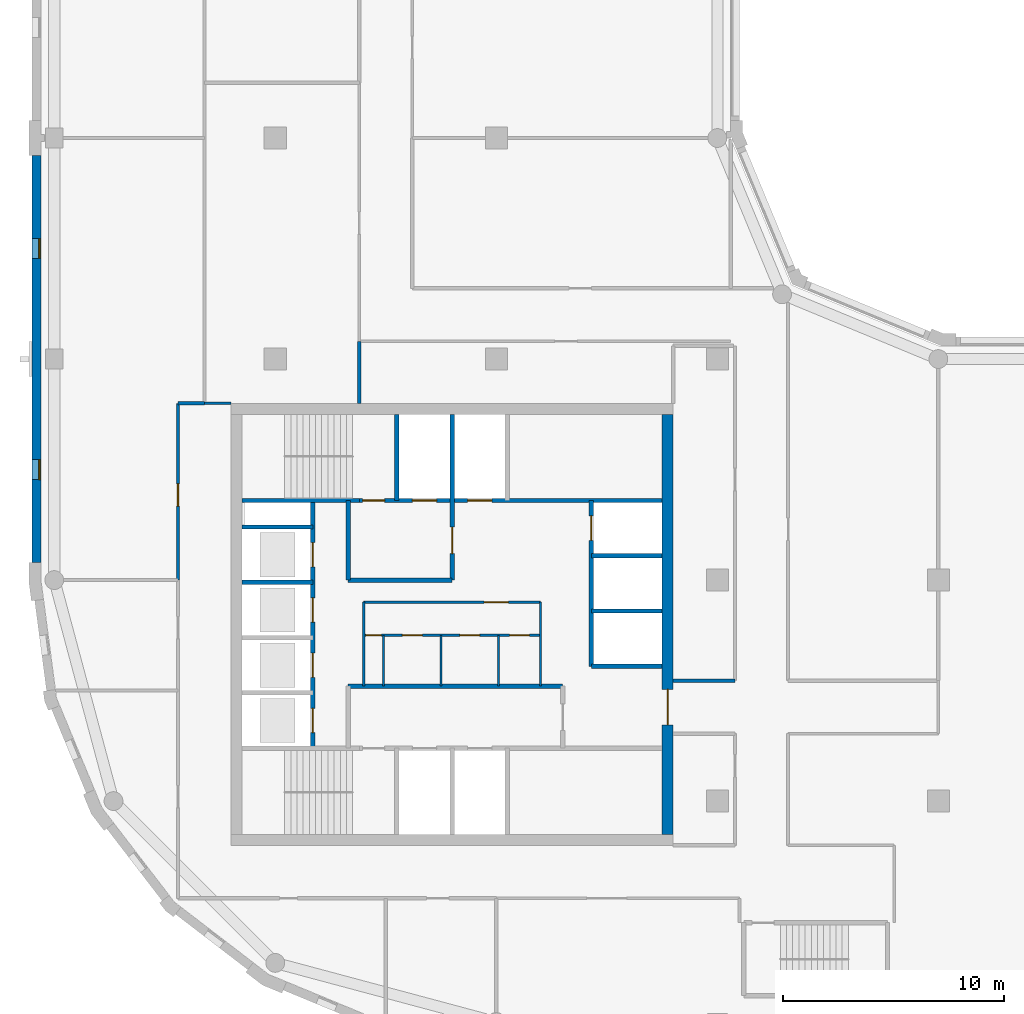
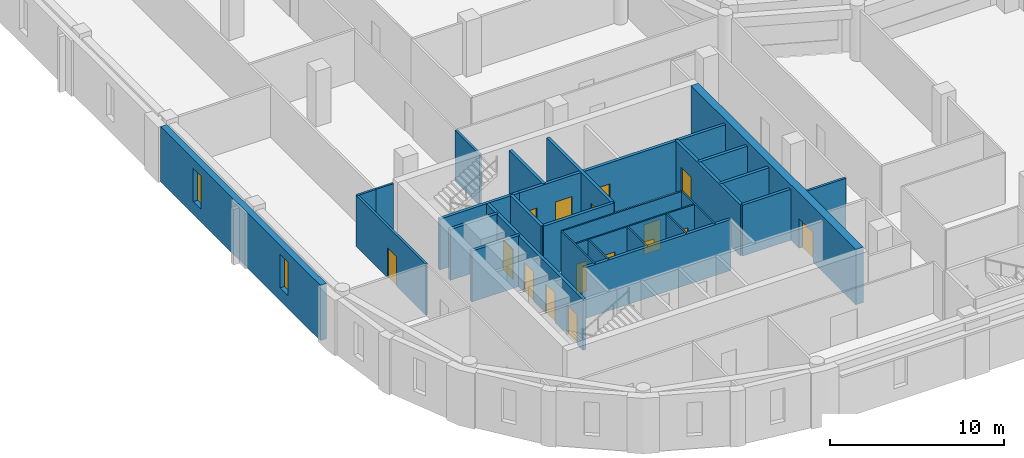
# One storey, part 3 of 9: 28 walls, 16 doors, 2 windows, 18 openings.
"""IFC4 building model written with IfcOpenShell, lengths in metres."""

from ifc_helpers import new_model, si_unit, direction, frame, frame_2d, origin, place, context, subcontext, project, spatial, rectangle, extrude, material, layer, layer_set, type_object, element, fill, save


model = new_model("IFC4")

# Units and contexts
model_context = context("Model", 3, precision=1e-05, world=origin(), true_north=direction((0.0, 1.0)))
body_context = subcontext(model_context, "Body", "Model", "MODEL_VIEW")
ifc_project = project(units=[si_unit("LENGTHUNIT", "METRE"), si_unit("AREAUNIT", "SQUARE_METRE"), si_unit("VOLUMEUNIT", "CUBIC_METRE"), si_unit("PLANEANGLEUNIT", "RADIAN"), si_unit("MASSUNIT", "GRAM", prefix="KILO")], contexts=[model_context])

# Site, building, storey
site_placement = place(None, origin())
site = spatial("IfcSite", under=ifc_project, at=site_placement, CompositionType="ELEMENT")
building_placement = place(site_placement, origin())
building = spatial("IfcBuilding", under=site, at=building_placement, Name="Qaws Garden Tower", CompositionType="ELEMENT")
storey_placement = place(building_placement, frame((0.0, 0.0, 263.10009765625)))
storey = spatial("IfcBuildingStorey", under=building, at=storey_placement, Name="L63", CompositionType="ELEMENT", Elevation=263.10009765625)

# Wall, openings, windows
ifc_material_1 = material(Name="Clay facing brick masonry", Category="masonry")
ifc_layer_1 = layer(ifc_material_1, 0.39990234375)
ifc_layer_set_1 = layer_set([ifc_layer_1], Name="Clay facing brick masonry")
wall_type_1 = type_object("IfcWallType", Name="Brick infill wall 400", PredefinedType="SOLIDWALL", material=ifc_layer_set_1)
wall_1_placement = place(storey_placement, frame((-0.800048828125, 39.199951171875, 0.0), z_axis=(0.0, 0.0, 1.0), x_axis=(0.0, -1.0, 0.0)))
wall_1 = element("IfcWall", 1, at=wall_1_placement, inside=storey, type_object=wall_type_1, Name="E-L63-infill-21", PredefinedType="SOLIDWALL", context=body_context, shape_type="SweptSolid", body=[
    extrude(rectangle(XDim=18.39990234375, YDim=0.39990234375, at=frame_2d((9.199951171875, 0.0))), origin(), (0.0, 0.0, 1.0), 3.89990234375),
])
opening_1_placement = place(wall_1_placement, frame((3.75, 0.0, 0.89990234375)))
opening_1 = element("IfcOpeningElement", 2, at=opening_1_placement, cuts=wall_1, Name="Opening W09", PredefinedType="OPENING", context=body_context, shape_type="SweptSolid", body=[
    extrude(rectangle(XDim=0.89990234375, YDim=2.35009765625, at=frame_2d((0.449951171875, 1.175048828125))), frame((0.0, 0.2099609375, 0.0), z_axis=(0.0, -1.0, 0.0), x_axis=(1.0, 0.0, 0.0)), (0.0, 0.0, 1.0), 0.419921875),
])
opening_2_placement = place(wall_1_placement, frame((13.75, 0.0, 0.89990234375)))
opening_2 = element("IfcOpeningElement", 3, at=opening_2_placement, cuts=wall_1, Name="Opening W09", PredefinedType="OPENING", context=body_context, shape_type="SweptSolid", body=[
    extrude(rectangle(XDim=0.89990234375, YDim=2.35009765625, at=frame_2d((0.449951171875, 1.175048828125))), frame((0.0, 0.2099609375, 0.0), z_axis=(0.0, -1.0, 0.0), x_axis=(1.0, 0.0, 0.0)), (0.0, 0.0, 1.0), 0.419921875),
])
ifc_material_2 = material(Name="Aluminium framed window, clear glazing", Category="aluminium")
window_type = type_object("IfcWindowType", Name="Slit window 900 x 2350", PartitioningType="SINGLE_PANEL", PredefinedType="WINDOW", material=ifc_material_2)
window_1_placement = place(opening_1_placement, origin())
window_1 = element("IfcWindow", 4, at=window_1_placement, inside=storey, type_object=window_type, Name="E-L63-window-21-0", OverallHeight=2.35009765625, OverallWidth=0.89990234375, PartitioningType="SINGLE_PANEL", PredefinedType="WINDOW", context=body_context, shape_type="SweptSolid", body=[
    extrude(rectangle(XDim=0.89990234375, YDim=2.35009765625, at=frame_2d((0.449951171875, 1.175048828125))), frame((0.0, 0.159912109375, 0.0), z_axis=(0.0, -1.0, 0.0), x_axis=(1.0, 0.0, 0.0)), (0.0, 0.0, 1.0), 0.06005859375),
])
fill(opening_1, window_1)
window_2_placement = place(opening_2_placement, origin())
window_2 = element("IfcWindow", 5, at=window_2_placement, inside=storey, type_object=window_type, Name="E-L63-window-22-0", OverallHeight=2.35009765625, OverallWidth=0.89990234375, PartitioningType="SINGLE_PANEL", PredefinedType="WINDOW", context=body_context, shape_type="SweptSolid", body=[
    extrude(rectangle(XDim=0.89990234375, YDim=2.35009765625, at=frame_2d((0.449951171875, 1.175048828125))), frame((0.0, 0.159912109375, 0.0), z_axis=(0.0, -1.0, 0.0), x_axis=(1.0, 0.0, 0.0)), (0.0, 0.0, 1.0), 0.06005859375),
])
fill(opening_2, window_2)

# Wall, openings, doors
ifc_material_3 = material(Name="Plasterboard")
ifc_layer_2 = layer(ifc_material_3, 0.10009765625)
ifc_layer_set_2 = layer_set([ifc_layer_2], Name="Plasterboard")
wall_type_2 = type_object("IfcWallType", Name="Core partition 100", PredefinedType="PARTITIONING", material=ifc_layer_set_2)
wall_2_placement = place(storey_placement, frame((14.0, 17.5, 0.0), z_axis=(0.0, 0.0, 1.0), x_axis=(1.0, 0.0, 0.0)))
wall_2 = element("IfcWall", 6, at=wall_2_placement, inside=storey, type_object=wall_type_2, Name="Core partition", PredefinedType="PARTITIONING", context=body_context, shape_type="SweptSolid", body=[
    extrude(rectangle(XDim=8.0, YDim=0.10009765625, at=frame_2d((4.0, 0.0))), origin(), (0.0, 0.0, 1.0), 3.579833984375),
])
opening_3_placement = place(wall_2_placement, frame((0.10009765625, 0.0, 0.0)))
opening_3 = element("IfcOpeningElement", 7, at=opening_3_placement, cuts=wall_2, Name="Opening XD18", PredefinedType="OPENING", context=body_context, shape_type="SweptSolid", body=[
    extrude(rectangle(XDim=0.699951171875, YDim=2.10009765625, at=frame_2d((0.35009765625, 1.050048828125))), frame((0.0, 0.06005859375, 0.0), z_axis=(0.0, -1.0, 0.0), x_axis=(1.0, 0.0, 0.0)), (0.0, 0.0, 1.0), 0.1201171875),
])
opening_4_placement = place(wall_2_placement, frame((1.75, 0.0, 0.0)))
opening_4 = element("IfcOpeningElement", 8, at=opening_4_placement, cuts=wall_2, Name="Opening WD19", PredefinedType="OPENING", context=body_context, shape_type="SweptSolid", body=[
    extrude(rectangle(XDim=0.89990234375, YDim=2.10009765625, at=frame_2d((0.449951171875, 1.050048828125))), frame((0.0, 0.06005859375, 0.0), z_axis=(0.0, -1.0, 0.0), x_axis=(1.0, 0.0, 0.0)), (0.0, 0.0, 1.0), 0.1201171875),
])
opening_5_placement = place(wall_2_placement, frame((4.35009765625, 0.0, 0.0)))
opening_5 = element("IfcOpeningElement", 9, at=opening_5_placement, cuts=wall_2, Name="Opening WD20", PredefinedType="OPENING", context=body_context, shape_type="SweptSolid", body=[
    extrude(rectangle(XDim=0.89990234375, YDim=2.10009765625, at=frame_2d((0.449951171875, 1.050048828125))), frame((0.0, 0.06005859375, 0.0), z_axis=(0.0, -1.0, 0.0), x_axis=(1.0, 0.0, 0.0)), (0.0, 0.0, 1.0), 0.1201171875),
])
opening_6_placement = place(wall_2_placement, frame((6.60009765625, 0.0, 0.0)))
opening_6 = element("IfcOpeningElement", 10, at=opening_6_placement, cuts=wall_2, Name="Opening WD21", PredefinedType="OPENING", context=body_context, shape_type="SweptSolid", body=[
    extrude(rectangle(XDim=0.89990234375, YDim=2.10009765625, at=frame_2d((0.449951171875, 1.050048828125))), frame((0.0, 0.06005859375, 0.0), z_axis=(0.0, -1.0, 0.0), x_axis=(1.0, 0.0, 0.0)), (0.0, 0.0, 1.0), 0.1201171875),
])
ifc_material_4 = material(Name="Timber", Category="wood")
door_type_1 = type_object("IfcDoorType", Name="Store door 700x2100", OperationType="SINGLE_SWING_LEFT", PredefinedType="DOOR", material=ifc_material_4)
door_1_placement = place(opening_3_placement, frame((0.699951171875, 0.0, 0.0), z_axis=(0.0, 0.0, 1.0), x_axis=(-1.0, 0.0, 0.0)))
door_1 = element("IfcDoor", 11, at=door_1_placement, inside=storey, type_object=door_type_1, Name="Cleaner's store door", OperationType="SINGLE_SWING_LEFT", OverallHeight=2.10009765625, OverallWidth=0.699951171875, PredefinedType="DOOR", context=body_context, shape_type="SweptSolid", body=[
    extrude(rectangle(XDim=0.699951171875, YDim=2.10009765625, at=frame_2d((0.35009765625, 1.050048828125))), frame((0.0, 0.02490234375, 0.0), z_axis=(0.0, -1.0, 0.0), x_axis=(1.0, 0.0, 0.0)), (0.0, 0.0, 1.0), 0.050048828125),
])
fill(opening_3, door_1)
ifc_material_5 = material(Name="Timber", Category="wood")
door_type_2 = type_object("IfcDoorType", Name="WC door 900x2100", OperationType="SINGLE_SWING_LEFT", PredefinedType="DOOR", material=ifc_material_5)
door_2_placement = place(opening_4_placement, frame((0.89990234375, 0.0, 0.0), z_axis=(0.0, 0.0, 1.0), x_axis=(-1.0, 0.0, 0.0)))
door_2 = element("IfcDoor", 12, at=door_2_placement, inside=storey, type_object=door_type_2, Name="Men's WC door", OperationType="SINGLE_SWING_LEFT", OverallHeight=2.10009765625, OverallWidth=0.89990234375, PredefinedType="DOOR", context=body_context, shape_type="SweptSolid", body=[
    extrude(rectangle(XDim=0.89990234375, YDim=2.10009765625, at=frame_2d((0.449951171875, 1.050048828125))), frame((0.0, 0.02490234375, 0.0), z_axis=(0.0, -1.0, 0.0), x_axis=(1.0, 0.0, 0.0)), (0.0, 0.0, 1.0), 0.050048828125),
])
fill(opening_4, door_2)
door_3_placement = place(opening_5_placement, frame((0.89990234375, 0.0, 0.0), z_axis=(0.0, 0.0, 1.0), x_axis=(-1.0, 0.0, 0.0)))
door_3 = element("IfcDoor", 13, at=door_3_placement, inside=storey, type_object=door_type_2, Name="Women's WC door", OperationType="SINGLE_SWING_LEFT", OverallHeight=2.10009765625, OverallWidth=0.89990234375, PredefinedType="DOOR", context=body_context, shape_type="SweptSolid", body=[
    extrude(rectangle(XDim=0.89990234375, YDim=2.10009765625, at=frame_2d((0.449951171875, 1.050048828125))), frame((0.0, 0.02490234375, 0.0), z_axis=(0.0, -1.0, 0.0), x_axis=(1.0, 0.0, 0.0)), (0.0, 0.0, 1.0), 0.050048828125),
])
fill(opening_5, door_3)
door_4_placement = place(opening_6_placement, frame((0.89990234375, 0.0, 0.0), z_axis=(0.0, 0.0, 1.0), x_axis=(-1.0, 0.0, 0.0)))
door_4 = element("IfcDoor", 14, at=door_4_placement, inside=storey, type_object=door_type_2, Name="Accessible WC door", OperationType="SINGLE_SWING_LEFT", OverallHeight=2.10009765625, OverallWidth=0.89990234375, PredefinedType="DOOR", context=body_context, shape_type="SweptSolid", body=[
    extrude(rectangle(XDim=0.89990234375, YDim=2.10009765625, at=frame_2d((0.449951171875, 1.050048828125))), frame((0.0, 0.02490234375, 0.0), z_axis=(0.0, -1.0, 0.0), x_axis=(1.0, 0.0, 0.0)), (0.0, 0.0, 1.0), 0.050048828125),
])
fill(opening_6, door_4)

# Wall, opening, door
wall_3_placement = place(storey_placement, frame((14.0, 19.0, 0.0), z_axis=(0.0, 0.0, 1.0), x_axis=(1.0, 0.0, 0.0)))
wall_3 = element("IfcWall", 15, at=wall_3_placement, inside=storey, type_object=wall_type_2, Name="Core partition", PredefinedType="PARTITIONING", context=body_context, shape_type="SweptSolid", body=[
    extrude(rectangle(XDim=8.0, YDim=0.10009765625, at=frame_2d((4.0, 0.0))), origin(), (0.0, 0.0, 1.0), 3.579833984375),
])
opening_7_placement = place(wall_3_placement, frame((5.449951171875, 0.0, 0.0)))
opening_7 = element("IfcOpeningElement", 16, at=opening_7_placement, cuts=wall_3, Name="Opening WL17", PredefinedType="OPENING", context=body_context, shape_type="SweptSolid", body=[
    extrude(rectangle(XDim=1.10009765625, YDim=2.10009765625, at=frame_2d((0.550048828125, 1.050048828125))), frame((0.0, 0.06005859375, 0.0), z_axis=(0.0, -1.0, 0.0), x_axis=(1.0, 0.0, 0.0)), (0.0, 0.0, 1.0), 0.1201171875),
])
ifc_material_6 = material(Name="Timber", Category="wood")
door_type_3 = type_object("IfcDoorType", Name="WC lobby door 1100x2100", OperationType="SINGLE_SWING_LEFT", PredefinedType="DOOR", material=ifc_material_6)
door_5_placement = place(opening_7_placement, frame((1.10009765625, 0.0, 0.0), z_axis=(0.0, 0.0, 1.0), x_axis=(-1.0, 0.0, 0.0)))
door_5 = element("IfcDoor", 17, at=door_5_placement, inside=storey, type_object=door_type_3, Name="WC lobby door", OperationType="SINGLE_SWING_LEFT", OverallHeight=2.10009765625, OverallWidth=1.10009765625, PredefinedType="DOOR", context=body_context, shape_type="SweptSolid", body=[
    extrude(rectangle(XDim=1.10009765625, YDim=2.10009765625, at=frame_2d((0.550048828125, 1.050048828125))), frame((0.0, 0.02490234375, 0.0), z_axis=(0.0, -1.0, 0.0), x_axis=(1.0, 0.0, 0.0)), (0.0, 0.0, 1.0), 0.050048828125),
])
fill(opening_7, door_5)

# Walls
wall_4_placement = place(storey_placement, frame((14.0, 15.199951171875, 0.0), z_axis=(0.0, 0.0, 1.0), x_axis=(0.0, 1.0, 0.0)))
element("IfcWall", 18, at=wall_4_placement, inside=storey, type_object=wall_type_2, Name="Core partition", PredefinedType="PARTITIONING", context=body_context, shape_type="SweptSolid", body=[
    extrude(rectangle(XDim=3.800048828125, YDim=0.10009765625, at=frame_2d((1.89990234375, 0.0))), origin(), (0.0, 0.0, 1.0), 3.579833984375),
])
for number, where, z_axis, x_axis, name in (
    (19, (14.89990234375, 15.199951171875, 0.0), (0.0, 0.0, 1.0), (0.0, 1.0, 0.0), "Core partition"),
    (20, (17.5, 15.199951171875, 0.0), (0.0, 0.0, 1.0), (0.0, 1.0, 0.0), "Core partition"),
    (21, (20.10009765625, 15.199951171875, 0.0), (0.0, 0.0, 1.0), (0.0, 1.0, 0.0), "Core partition"),
):
    element("IfcWall", number, at=place(storey_placement, frame(where, z_axis=z_axis, x_axis=x_axis)), inside=storey, type_object=wall_type_2, Name=name, PredefinedType="PARTITIONING", context=body_context, shape_type="SweptSolid", body=[
        extrude(rectangle(XDim=2.300048828125, YDim=0.10009765625, at=frame_2d((1.14990234375, 0.0))), origin(), (0.0, 0.0, 1.0), 3.579833984375),
    ])
wall_5_placement = place(storey_placement, frame((22.0, 15.199951171875, 0.0), z_axis=(0.0, 0.0, 1.0), x_axis=(0.0, 1.0, 0.0)))
element("IfcWall", 22, at=wall_5_placement, inside=storey, type_object=wall_type_2, Name="Core partition", PredefinedType="PARTITIONING", context=body_context, shape_type="SweptSolid", body=[
    extrude(rectangle(XDim=3.800048828125, YDim=0.10009765625, at=frame_2d((1.89990234375, 0.0))), origin(), (0.0, 0.0, 1.0), 3.579833984375),
])
ifc_material_7 = material(Name="Concrete C60", Category="concrete")
ifc_layer_3 = layer(ifc_material_7, 0.199951171875)
ifc_layer_set_3 = layer_set([ifc_layer_3], Name="Concrete C60")
wall_type_3 = type_object("IfcWallType", Name="Core shaft wall 200 C60", PredefinedType="SHEAR", material=ifc_layer_set_3)
wall_6_placement = place(storey_placement, frame((13.300048828125, 15.199951171875, 0.0), z_axis=(0.0, 0.0, 1.0), x_axis=(1.0, 0.0, 0.0)))
element("IfcWall", 23, at=wall_6_placement, inside=storey, type_object=wall_type_3, Name="Shaft wall", PredefinedType="SHEAR", context=body_context, shape_type="SweptSolid", body=[
    extrude(rectangle(XDim=9.699951171875, YDim=0.199951171875, at=frame_2d((4.85009765625, 0.0))), origin(), (0.0, 0.0, 1.0), 3.579833984375),
])
for number, where, z_axis, x_axis, name in (
    (24, (24.300048828125, 16.10009765625, 0.0), (0.0, 0.0, 1.0), (1.0, 0.0, 0.0), "Shaft wall"),
    (25, (24.300048828125, 18.60009765625, 0.0), (0.0, 0.0, 1.0), (1.0, 0.0, 0.0), "Shaft wall"),
    (26, (8.5, 19.89990234375, 0.0), (0.0, 0.0, 1.0), (1.0, 0.0, 0.0), "Shaft wall"),
):
    element("IfcWall", number, at=place(storey_placement, frame(where, z_axis=z_axis, x_axis=x_axis)), inside=storey, type_object=wall_type_3, Name=name, PredefinedType="SHEAR", context=body_context, shape_type="SweptSolid", body=[
        extrude(rectangle(XDim=3.199951171875, YDim=0.199951171875, at=frame_2d((1.60009765625, 0.0))), origin(), (0.0, 0.0, 1.0), 3.579833984375),
    ])
wall_7_placement = place(storey_placement, frame((13.300048828125, 20.0, 0.0), z_axis=(0.0, 0.0, 1.0), x_axis=(1.0, 0.0, 0.0)))
element("IfcWall", 27, at=wall_7_placement, inside=storey, type_object=wall_type_3, Name="Shaft wall", PredefinedType="SHEAR", context=body_context, shape_type="SweptSolid", body=[
    extrude(rectangle(XDim=4.699951171875, YDim=0.199951171875, at=frame_2d((2.35009765625, 0.0))), origin(), (0.0, 0.0, 1.0), 3.579833984375),
])
for number, where, z_axis, x_axis, name in (
    (28, (24.300048828125, 21.10009765625, 0.0), (0.0, 0.0, 1.0), (1.0, 0.0, 0.0), "Shaft wall"),
    (29, (8.5, 22.39990234375, 0.0), (0.0, 0.0, 1.0), (1.0, 0.0, 0.0), "Shaft wall"),
):
    element("IfcWall", number, at=place(storey_placement, frame(where, z_axis=z_axis, x_axis=x_axis)), inside=storey, type_object=wall_type_3, Name=name, PredefinedType="SHEAR", context=body_context, shape_type="SweptSolid", body=[
        extrude(rectangle(XDim=3.199951171875, YDim=0.199951171875, at=frame_2d((1.60009765625, 0.0))), origin(), (0.0, 0.0, 1.0), 3.579833984375),
    ])
wall_8_placement = place(storey_placement, frame((8.5, 23.60009765625, 0.0), z_axis=(0.0, 0.0, 1.0), x_axis=(1.0, 0.0, 0.0)))
element("IfcWall", 30, at=wall_8_placement, inside=storey, type_object=wall_type_3, Name="Shaft wall", PredefinedType="SHEAR", context=body_context, shape_type="SweptSolid", body=[
    extrude(rectangle(XDim=5.300048828125, YDim=0.199951171875, at=frame_2d((2.64990234375, 0.0))), origin(), (0.0, 0.0, 1.0), 3.579833984375),
])

# Wall, openings, doors
wall_9_placement = place(storey_placement, frame((13.800048828125, 23.60009765625, 0.0), z_axis=(0.0, 0.0, 1.0), x_axis=(1.0, 0.0, 0.0)))
wall_9 = element("IfcWall", 31, at=wall_9_placement, inside=storey, type_object=wall_type_3, Name="Shaft wall", PredefinedType="SHEAR", context=body_context, shape_type="SweptSolid", body=[
    extrude(rectangle(XDim=13.699951171875, YDim=0.199951171875, at=frame_2d((6.85009765625, 0.0))), origin(), (0.0, 0.0, 1.0), 3.579833984375),
])
opening_8_placement = place(wall_9_placement, frame((2.39990234375, 0.0, 0.0)))
opening_8 = element("IfcOpeningElement", 32, at=opening_8_placement, cuts=wall_9, Name="Opening LD08", PredefinedType="OPENING", context=body_context, shape_type="SweptSolid", body=[
    extrude(rectangle(XDim=1.10009765625, YDim=2.10009765625, at=frame_2d((0.550048828125, 1.050048828125))), frame((0.0, 0.10986328125, 0.0), z_axis=(0.0, -1.0, 0.0), x_axis=(1.0, 0.0, 0.0)), (0.0, 0.0, 1.0), 0.219970703125),
])
opening_9_placement = place(wall_9_placement, frame((4.89990234375, 0.0, 0.0)))
opening_9 = element("IfcOpeningElement", 33, at=opening_9_placement, cuts=wall_9, Name="Opening LD09", PredefinedType="OPENING", context=body_context, shape_type="SweptSolid", body=[
    extrude(rectangle(XDim=1.10009765625, YDim=2.10009765625, at=frame_2d((0.550048828125, 1.050048828125))), frame((0.0, 0.10986328125, 0.0), z_axis=(0.0, -1.0, 0.0), x_axis=(1.0, 0.0, 0.0)), (0.0, 0.0, 1.0), 0.219970703125),
])
opening_10_placement = place(wall_9_placement, frame((0.14990234375, 0.0, 0.0)))
opening_10 = element("IfcOpeningElement", 34, at=opening_10_placement, cuts=wall_9, Name="Opening SD11", PredefinedType="OPENING", context=body_context, shape_type="SweptSolid", body=[
    extrude(rectangle(XDim=1.0, YDim=2.10009765625, at=frame_2d((0.5, 1.050048828125))), frame((0.0, 0.10986328125, 0.0), z_axis=(0.0, -1.0, 0.0), x_axis=(1.0, 0.0, 0.0)), (0.0, 0.0, 1.0), 0.219970703125),
])
ifc_material_8 = material(Name="Steel S235", Category="steel")
door_type_4 = type_object("IfcDoorType", Name="Landing door 1100x2100", OperationType="DOUBLE_DOOR_SLIDING", PredefinedType="DOOR", material=ifc_material_8)
door_6_placement = place(opening_8_placement, origin())
door_6 = element("IfcDoor", 35, at=door_6_placement, inside=storey, type_object=door_type_4, Name="Lift FF3 landing door", OperationType="DOUBLE_DOOR_SLIDING", OverallHeight=2.10009765625, OverallWidth=1.10009765625, PredefinedType="DOOR", context=body_context, shape_type="SweptSolid", body=[
    extrude(rectangle(XDim=1.10009765625, YDim=2.10009765625, at=frame_2d((0.550048828125, 1.050048828125))), frame((0.0, 0.02490234375, 0.0), z_axis=(0.0, -1.0, 0.0), x_axis=(1.0, 0.0, 0.0)), (0.0, 0.0, 1.0), 0.050048828125),
])
fill(opening_8, door_6)
door_7_placement = place(opening_9_placement, origin())
door_7 = element("IfcDoor", 36, at=door_7_placement, inside=storey, type_object=door_type_4, Name="Lift SV2 landing door", OperationType="DOUBLE_DOOR_SLIDING", OverallHeight=2.10009765625, OverallWidth=1.10009765625, PredefinedType="DOOR", context=body_context, shape_type="SweptSolid", body=[
    extrude(rectangle(XDim=1.10009765625, YDim=2.10009765625, at=frame_2d((0.550048828125, 1.050048828125))), frame((0.0, 0.02490234375, 0.0), z_axis=(0.0, -1.0, 0.0), x_axis=(1.0, 0.0, 0.0)), (0.0, 0.0, 1.0), 0.050048828125),
])
fill(opening_9, door_7)
ifc_material_9 = material(Name="Steel S235", Category="steel")
door_type_5 = type_object("IfcDoorType", Name="Stair door 1000x2100", OperationType="SINGLE_SWING_RIGHT", PredefinedType="DOOR", material=ifc_material_9)
door_8_placement = place(opening_10_placement, origin())
door_8 = element("IfcDoor", 37, at=door_8_placement, inside=storey, type_object=door_type_5, Name="Stair 4 door", OperationType="SINGLE_SWING_RIGHT", OverallHeight=2.10009765625, OverallWidth=1.0, PredefinedType="DOOR", context=body_context, shape_type="SweptSolid", body=[
    extrude(rectangle(XDim=1.0, YDim=2.10009765625, at=frame_2d((0.5, 1.050048828125))), frame((0.0, 0.02490234375, 0.0), z_axis=(0.0, -1.0, 0.0), x_axis=(1.0, 0.0, 0.0)), (0.0, 0.0, 1.0), 0.050048828125),
])
fill(opening_10, door_8)

wall_10_placement = place(storey_placement, frame((11.699951171875, 12.39990234375, 0.0), z_axis=(0.0, 0.0, 1.0), x_axis=(0.0, 1.0, 0.0)))
wall_10 = element("IfcWall", 38, at=wall_10_placement, inside=storey, type_object=wall_type_3, Name="Shaft wall", PredefinedType="SHEAR", context=body_context, shape_type="SweptSolid", body=[
    extrude(rectangle(XDim=11.2001953125, YDim=0.199951171875, at=frame_2d((5.60009765625, 0.0))), origin(), (0.0, 0.0, 1.0), 3.579833984375),
])
opening_11_placement = place(wall_10_placement, frame((0.699951171875, 0.0, 0.0)))
opening_11 = element("IfcOpeningElement", 39, at=opening_11_placement, cuts=wall_10, Name="Opening LD01", PredefinedType="OPENING", context=body_context, shape_type="SweptSolid", body=[
    extrude(rectangle(XDim=1.10009765625, YDim=2.10009765625, at=frame_2d((0.550048828125, 1.050048828125))), frame((0.0, 0.10986328125, 0.0), z_axis=(0.0, -1.0, 0.0), x_axis=(1.0, 0.0, 0.0)), (0.0, 0.0, 1.0), 0.219970703125),
])
opening_12_placement = place(wall_10_placement, frame((3.199951171875, 0.0, 0.0)))
opening_12 = element("IfcOpeningElement", 40, at=opening_12_placement, cuts=wall_10, Name="Opening LD02", PredefinedType="OPENING", context=body_context, shape_type="SweptSolid", body=[
    extrude(rectangle(XDim=1.10009765625, YDim=2.10009765625, at=frame_2d((0.550048828125, 1.050048828125))), frame((0.0, 0.10986328125, 0.0), z_axis=(0.0, -1.0, 0.0), x_axis=(1.0, 0.0, 0.0)), (0.0, 0.0, 1.0), 0.219970703125),
])
opening_13_placement = place(wall_10_placement, frame((5.699951171875, 0.0, 0.0)))
opening_13 = element("IfcOpeningElement", 41, at=opening_13_placement, cuts=wall_10, Name="Opening LD03", PredefinedType="OPENING", context=body_context, shape_type="SweptSolid", body=[
    extrude(rectangle(XDim=1.10009765625, YDim=2.10009765625, at=frame_2d((0.550048828125, 1.050048828125))), frame((0.0, 0.10986328125, 0.0), z_axis=(0.0, -1.0, 0.0), x_axis=(1.0, 0.0, 0.0)), (0.0, 0.0, 1.0), 0.219970703125),
])
opening_14_placement = place(wall_10_placement, frame((8.199951171875, 0.0, 0.0)))
opening_14 = element("IfcOpeningElement", 42, at=opening_14_placement, cuts=wall_10, Name="Opening LD04", PredefinedType="OPENING", context=body_context, shape_type="SweptSolid", body=[
    extrude(rectangle(XDim=1.10009765625, YDim=2.10009765625, at=frame_2d((0.550048828125, 1.050048828125))), frame((0.0, 0.10986328125, 0.0), z_axis=(0.0, -1.0, 0.0), x_axis=(1.0, 0.0, 0.0)), (0.0, 0.0, 1.0), 0.219970703125),
])
door_9_placement = place(opening_11_placement, origin())
door_9 = element("IfcDoor", 43, at=door_9_placement, inside=storey, type_object=door_type_4, Name="Lift W1 landing door", OperationType="DOUBLE_DOOR_SLIDING", OverallHeight=2.10009765625, OverallWidth=1.10009765625, PredefinedType="DOOR", context=body_context, shape_type="SweptSolid", body=[
    extrude(rectangle(XDim=1.10009765625, YDim=2.10009765625, at=frame_2d((0.550048828125, 1.050048828125))), frame((0.0, 0.02490234375, 0.0), z_axis=(0.0, -1.0, 0.0), x_axis=(1.0, 0.0, 0.0)), (0.0, 0.0, 1.0), 0.050048828125),
])
fill(opening_11, door_9)
door_10_placement = place(opening_12_placement, origin())
door_10 = element("IfcDoor", 44, at=door_10_placement, inside=storey, type_object=door_type_4, Name="Lift W2 landing door", OperationType="DOUBLE_DOOR_SLIDING", OverallHeight=2.10009765625, OverallWidth=1.10009765625, PredefinedType="DOOR", context=body_context, shape_type="SweptSolid", body=[
    extrude(rectangle(XDim=1.10009765625, YDim=2.10009765625, at=frame_2d((0.550048828125, 1.050048828125))), frame((0.0, 0.02490234375, 0.0), z_axis=(0.0, -1.0, 0.0), x_axis=(1.0, 0.0, 0.0)), (0.0, 0.0, 1.0), 0.050048828125),
])
fill(opening_12, door_10)
door_11_placement = place(opening_13_placement, origin())
door_11 = element("IfcDoor", 45, at=door_11_placement, inside=storey, type_object=door_type_4, Name="Lift W3 landing door", OperationType="DOUBLE_DOOR_SLIDING", OverallHeight=2.10009765625, OverallWidth=1.10009765625, PredefinedType="DOOR", context=body_context, shape_type="SweptSolid", body=[
    extrude(rectangle(XDim=1.10009765625, YDim=2.10009765625, at=frame_2d((0.550048828125, 1.050048828125))), frame((0.0, 0.02490234375, 0.0), z_axis=(0.0, -1.0, 0.0), x_axis=(1.0, 0.0, 0.0)), (0.0, 0.0, 1.0), 0.050048828125),
])
fill(opening_13, door_11)
door_12_placement = place(opening_14_placement, origin())
door_12 = element("IfcDoor", 46, at=door_12_placement, inside=storey, type_object=door_type_4, Name="Lift W4 landing door", OperationType="DOUBLE_DOOR_SLIDING", OverallHeight=2.10009765625, OverallWidth=1.10009765625, PredefinedType="DOOR", context=body_context, shape_type="SweptSolid", body=[
    extrude(rectangle(XDim=1.10009765625, YDim=2.10009765625, at=frame_2d((0.550048828125, 1.050048828125))), frame((0.0, 0.02490234375, 0.0), z_axis=(0.0, -1.0, 0.0), x_axis=(1.0, 0.0, 0.0)), (0.0, 0.0, 1.0), 0.050048828125),
])
fill(opening_14, door_12)

# Walls
wall_11_placement = place(storey_placement, frame((13.300048828125, 20.0, 0.0), z_axis=(0.0, 0.0, 1.0), x_axis=(0.0, 1.0, 0.0)))
element("IfcWall", 47, at=wall_11_placement, inside=storey, type_object=wall_type_3, Name="Shaft wall", PredefinedType="SHEAR", context=body_context, shape_type="SweptSolid", body=[
    extrude(rectangle(XDim=3.60009765625, YDim=0.199951171875, at=frame_2d((1.800048828125, 0.0))), origin(), (0.0, 0.0, 1.0), 3.579833984375),
])
wall_12_placement = place(storey_placement, frame((15.5, 23.60009765625, 0.0), z_axis=(0.0, 0.0, 1.0), x_axis=(0.0, 1.0, 0.0)))
element("IfcWall", 48, at=wall_12_placement, inside=storey, type_object=wall_type_3, Name="Shaft wall", PredefinedType="SHEAR", context=body_context, shape_type="SweptSolid", body=[
    extrude(rectangle(XDim=3.89990234375, YDim=0.199951171875, at=frame_2d((1.949951171875, 0.0))), origin(), (0.0, 0.0, 1.0), 3.579833984375),
])

# Wall, opening, door
wall_13_placement = place(storey_placement, frame((18.0, 20.0, 0.0), z_axis=(0.0, 0.0, 1.0), x_axis=(0.0, 1.0, 0.0)))
wall_13 = element("IfcWall", 49, at=wall_13_placement, inside=storey, type_object=wall_type_3, Name="Shaft wall", PredefinedType="SHEAR", context=body_context, shape_type="SweptSolid", body=[
    extrude(rectangle(XDim=7.5, YDim=0.199951171875, at=frame_2d((3.75, 0.0))), origin(), (0.0, 0.0, 1.0), 3.579833984375),
])
opening_15_placement = place(wall_13_placement, frame((1.199951171875, 0.0, 0.0)))
opening_15 = element("IfcOpeningElement", 50, at=opening_15_placement, cuts=wall_13, Name="Opening FD16", PredefinedType="OPENING", context=body_context, shape_type="SweptSolid", body=[
    extrude(rectangle(XDim=1.199951171875, YDim=2.10009765625, at=frame_2d((0.60009765625, 1.050048828125))), frame((0.0, 0.10986328125, 0.0), z_axis=(0.0, -1.0, 0.0), x_axis=(1.0, 0.0, 0.0)), (0.0, 0.0, 1.0), 0.219970703125),
])
ifc_material_10 = material(Name="Steel S235", Category="steel")
door_type_6 = type_object("IfcDoorType", Name="Lobby door 1200x2100", OperationType="DOUBLE_DOOR_SINGLE_SWING", PredefinedType="DOOR", material=ifc_material_10)
door_13_placement = place(opening_15_placement, origin())
door_13 = element("IfcDoor", 51, at=door_13_placement, inside=storey, type_object=door_type_6, Name="Fire-fighting lobby door", OperationType="DOUBLE_DOOR_SINGLE_SWING", OverallHeight=2.10009765625, OverallWidth=1.199951171875, PredefinedType="DOOR", context=body_context, shape_type="SweptSolid", body=[
    extrude(rectangle(XDim=1.199951171875, YDim=2.10009765625, at=frame_2d((0.60009765625, 1.050048828125))), frame((0.0, 0.02490234375, 0.0), z_axis=(0.0, -1.0, 0.0), x_axis=(1.0, 0.0, 0.0)), (0.0, 0.0, 1.0), 0.050048828125),
])
fill(opening_15, door_13)

wall_14_placement = place(storey_placement, frame((24.300048828125, 16.10009765625, 0.0), z_axis=(0.0, 0.0, 1.0), x_axis=(0.0, 1.0, 0.0)))
wall_14 = element("IfcWall", 52, at=wall_14_placement, inside=storey, type_object=wall_type_3, Name="Shaft wall", PredefinedType="SHEAR", context=body_context, shape_type="SweptSolid", body=[
    extrude(rectangle(XDim=7.5, YDim=0.199951171875, at=frame_2d((3.75, 0.0))), origin(), (0.0, 0.0, 1.0), 3.579833984375),
])
opening_16_placement = place(wall_14_placement, frame((5.699951171875, 0.0, 0.0)))
opening_16 = element("IfcOpeningElement", 53, at=opening_16_placement, cuts=wall_14, Name="Opening LD05", PredefinedType="OPENING", context=body_context, shape_type="SweptSolid", body=[
    extrude(rectangle(XDim=1.10009765625, YDim=2.10009765625, at=frame_2d((0.550048828125, 1.050048828125))), frame((0.0, 0.10986328125, 0.0), z_axis=(0.0, -1.0, 0.0), x_axis=(1.0, 0.0, 0.0)), (0.0, 0.0, 1.0), 0.219970703125),
])
door_14_placement = place(opening_16_placement, origin())
door_14 = element("IfcDoor", 54, at=door_14_placement, inside=storey, type_object=door_type_4, Name="Lift E3 landing door", OperationType="DOUBLE_DOOR_SLIDING", OverallHeight=2.10009765625, OverallWidth=1.10009765625, PredefinedType="DOOR", context=body_context, shape_type="SweptSolid", body=[
    extrude(rectangle(XDim=1.10009765625, YDim=2.10009765625, at=frame_2d((0.550048828125, 1.050048828125))), frame((0.0, 0.02490234375, 0.0), z_axis=(0.0, -1.0, 0.0), x_axis=(1.0, 0.0, 0.0)), (0.0, 0.0, 1.0), 0.050048828125),
])
fill(opening_16, door_14)

ifc_material_11 = material(Name="Concrete C60", Category="concrete")
ifc_layer_4 = layer(ifc_material_11, 0.5)
ifc_layer_set_4 = layer_set([ifc_layer_4], Name="Concrete C60")
wall_type_4 = type_object("IfcWallType", Name="Core wall 500 C60", PredefinedType="SHEAR", material=ifc_layer_set_4)
wall_15_placement = place(storey_placement, frame((27.75, 8.5, 0.0), z_axis=(0.0, 0.0, 1.0), x_axis=(0.0, 1.0, 0.0)))
wall_15 = element("IfcWall", 55, at=wall_15_placement, inside=storey, type_object=wall_type_4, Name="Core wall L63 east", PredefinedType="SHEAR", context=body_context, shape_type="SweptSolid", body=[
    extrude(rectangle(XDim=19.0, YDim=0.5, at=frame_2d((9.5, 0.0))), origin(), (0.0, 0.0, 1.0), 3.89990234375),
])
opening_17_placement = place(wall_15_placement, frame((4.949951171875, 0.0, 0.0)))
opening_17 = element("IfcOpeningElement", 56, at=opening_17_placement, cuts=wall_15, Name="Opening ED22", PredefinedType="OPENING", context=body_context, shape_type="SweptSolid", body=[
    extrude(rectangle(XDim=1.60009765625, YDim=2.10009765625, at=frame_2d((0.800048828125, 1.050048828125))), frame((0.0, 0.260009765625, 0.0), z_axis=(0.0, -1.0, 0.0), x_axis=(1.0, 0.0, 0.0)), (0.0, 0.0, 1.0), 0.52001953125),
])
ifc_material_12 = material(Name="Steel S235", Category="steel")
door_type_7 = type_object("IfcDoorType", Name="Core entrance door 1600x2100", OperationType="DOUBLE_DOOR_SINGLE_SWING", PredefinedType="DOOR", material=ifc_material_12)
door_15_placement = place(opening_17_placement, origin())
door_15 = element("IfcDoor", 57, at=door_15_placement, inside=storey, type_object=door_type_7, Name="Core entrance door", OperationType="DOUBLE_DOOR_SINGLE_SWING", OverallHeight=2.10009765625, OverallWidth=1.60009765625, PredefinedType="DOOR", context=body_context, shape_type="SweptSolid", body=[
    extrude(rectangle(XDim=1.60009765625, YDim=2.10009765625, at=frame_2d((0.800048828125, 1.050048828125))), frame((0.0, 0.02490234375, 0.0), z_axis=(0.0, -1.0, 0.0), x_axis=(1.0, 0.0, 0.0)), (0.0, 0.0, 1.0), 0.050048828125),
])
fill(opening_17, door_15)

# Wall
ifc_material_13 = material(Name="Glass and aluminium framing", Category="aluminium")
ifc_layer_5 = layer(ifc_material_13, 0.1201171875)
ifc_layer_set_5 = layer_set([ifc_layer_5], Name="Glass and aluminium framing")
wall_type_5 = type_object("IfcWallType", Name="GLAZED PARTITION 120 EI 30", PredefinedType="PARTITIONING", material=ifc_layer_set_5)
wall_16_placement = place(storey_placement, frame((6.800048828125, 28.0, 0.0), z_axis=(0.0, 0.0, 1.0), x_axis=(1.0, 0.0, 0.0)))
element("IfcWall", 58, at=wall_16_placement, inside=storey, type_object=wall_type_5, Name="O-L63-wall-052", PredefinedType="PARTITIONING", context=body_context, shape_type="SweptSolid", body=[
    extrude(rectangle(XDim=1.199951171875, YDim=0.1201171875, at=frame_2d((0.60009765625, 0.0))), origin(), (0.0, 0.0, 1.0), 3.579833984375),
])

# Wall, opening, door
ifc_material_14 = material(Name="Gypsum board partition")
ifc_layer_6 = layer(ifc_material_14, 0.14990234375)
ifc_layer_set_6 = layer_set([ifc_layer_6], Name="Gypsum board partition")
wall_type_6 = type_object("IfcWallType", Name="PARTITION 150 EI 60", PredefinedType="PARTITIONING", material=ifc_layer_set_6)
wall_17_placement = place(storey_placement, frame((5.60009765625, 20.0, 0.0), z_axis=(0.0, 0.0, 1.0), x_axis=(0.0, 1.0, 0.0)))
wall_17 = element("IfcWall", 59, at=wall_17_placement, inside=storey, type_object=wall_type_6, Name="O-L63-wall-003", PredefinedType="PARTITIONING", context=body_context, shape_type="SweptSolid", body=[
    extrude(rectangle(XDim=8.0, YDim=0.14990234375, at=frame_2d((4.0, 0.0))), origin(), (0.0, 0.0, 1.0), 3.579833984375),
])
opening_18_placement = place(wall_17_placement, frame((3.35009765625, 0.0, 0.0)))
opening_18 = element("IfcOpeningElement", 60, at=opening_18_placement, cuts=wall_17, Name="Opening C203", PredefinedType="OPENING", context=body_context, shape_type="SweptSolid", body=[
    extrude(rectangle(XDim=1.0, YDim=2.10009765625, at=frame_2d((0.5, 1.050048828125))), frame((0.0, 0.0849609375, 0.0), z_axis=(0.0, -1.0, 0.0), x_axis=(1.0, 0.0, 0.0)), (0.0, 0.0, 1.0), 0.169921875),
])
ifc_material_15 = material(Name="Timber door leaf", Category="wood")
door_type_8 = type_object("IfcDoorType", Name="TENANCY ENTRANCE DOOR 1000 X 2100", OperationType="SINGLE_SWING_LEFT", PredefinedType="DOOR", material=ifc_material_15)
door_16_placement = place(opening_18_placement, origin())
door_16 = element("IfcDoor", 61, at=door_16_placement, inside=storey, type_object=door_type_8, Name="O-L63-door-003", OperationType="SINGLE_SWING_RIGHT", OverallHeight=2.10009765625, OverallWidth=1.0, PredefinedType="DOOR", context=body_context, shape_type="SweptSolid", body=[
    extrude(rectangle(XDim=1.0, YDim=2.10009765625, at=frame_2d((0.5, 1.050048828125))), frame((0.0, 0.02490234375, 0.0), z_axis=(0.0, -1.0, 0.0), x_axis=(1.0, 0.0, 0.0)), (0.0, 0.0, 1.0), 0.050048828125),
])
fill(opening_18, door_16)

# Walls
for number, where, z_axis, x_axis, name in (
    (62, (13.800048828125, 28.0, 0.0), (0.0, 0.0, 1.0), (0.0, 1.0, 0.0), "O-L63-wall-005"),
    (63, (28.0, 15.449951171875, 0.0), (0.0, 0.0, 1.0), (1.0, 0.0, 0.0), "O-L63-wall-022"),
):
    element("IfcWall", number, at=place(storey_placement, frame(where, z_axis=z_axis, x_axis=x_axis)), inside=storey, type_object=wall_type_6, Name=name, PredefinedType="PARTITIONING", context=body_context, shape_type="SweptSolid", body=[
        extrude(rectangle(XDim=2.800048828125, YDim=0.14990234375, at=frame_2d((1.39990234375, 0.0))), origin(), (0.0, 0.0, 1.0), 3.579833984375),
    ])
wall_18_placement = place(storey_placement, frame((5.60009765625, 28.0, 0.0), z_axis=(0.0, 0.0, 1.0), x_axis=(1.0, 0.0, 0.0)))
element("IfcWall", 64, at=wall_18_placement, inside=storey, type_object=wall_type_6, Name="O-L63-wall-025", PredefinedType="PARTITIONING", context=body_context, shape_type="SweptSolid", body=[
    extrude(rectangle(XDim=1.199951171875, YDim=0.14990234375, at=frame_2d((0.60009765625, 0.0))), origin(), (0.0, 0.0, 1.0), 3.579833984375),
])

save(model, "model.ifc")
